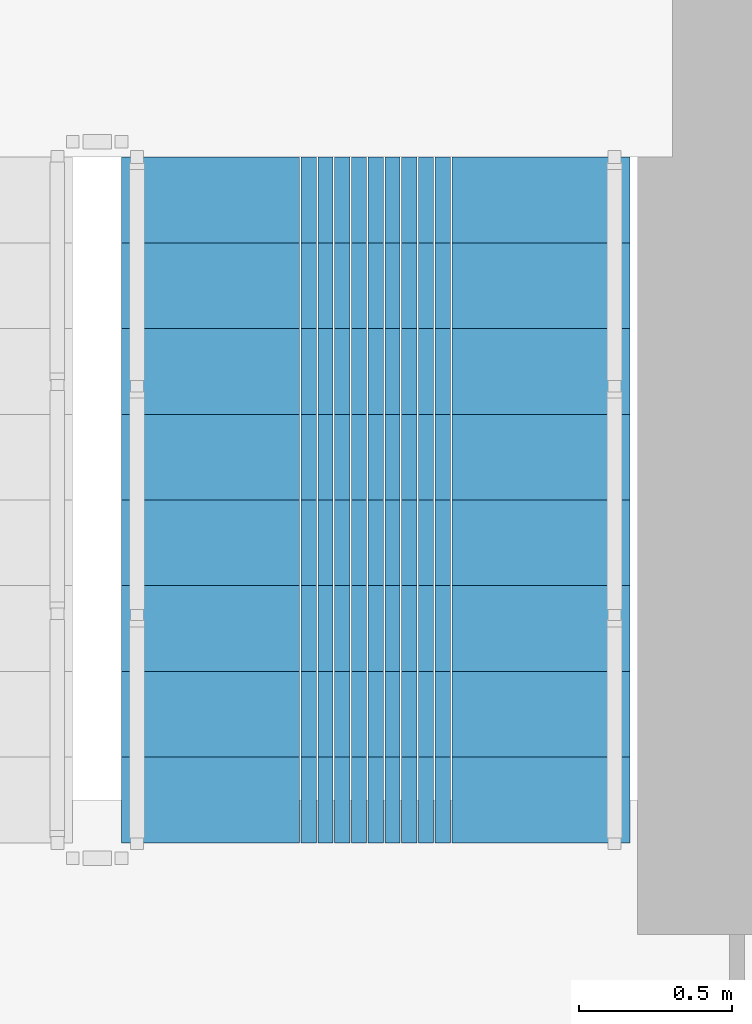
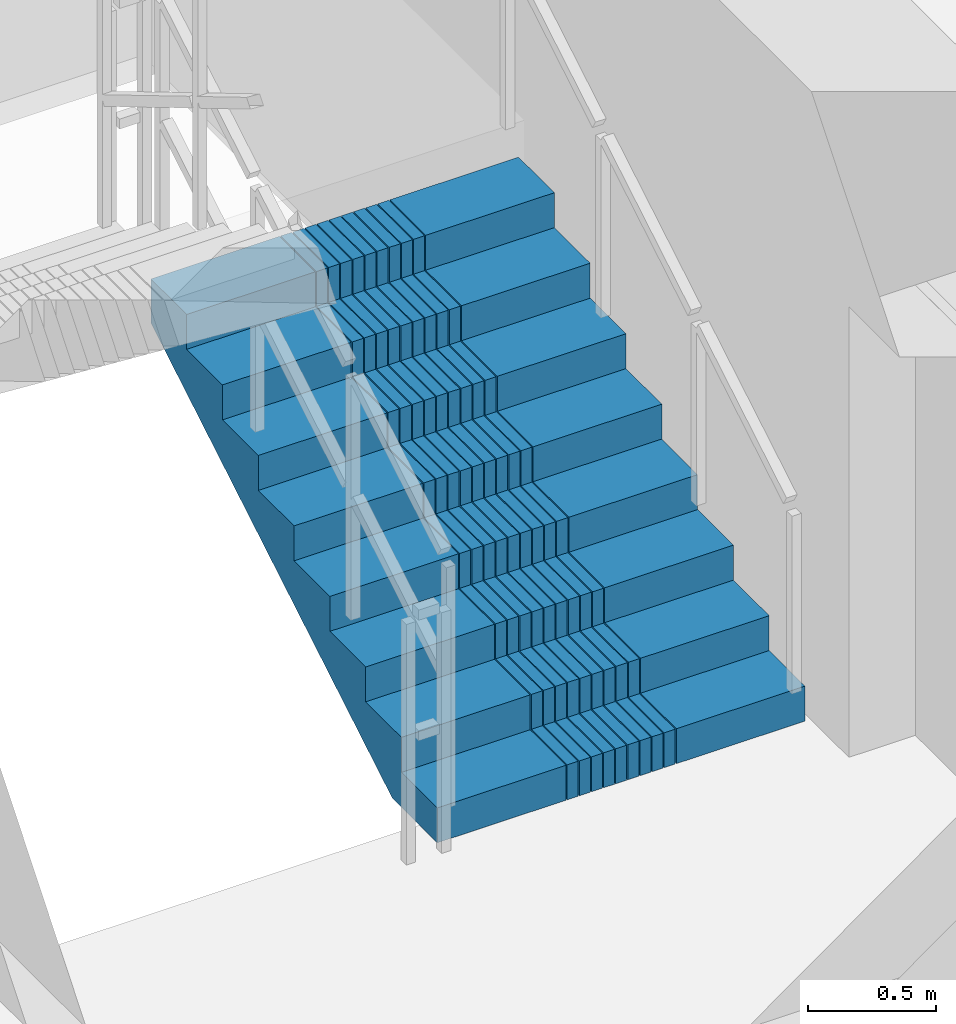
# One storey, part 10 of 16: 1 stair flight, 1 element without a shape of its own.
"""IFC4 building model written with IfcOpenShell, lengths in metres."""

from ifc_helpers import new_model, si_unit, direction, frame, origin, place, context, subcontext, project, spatial, polyline, outline, extrude, material, type_object, element, aggregate, save


model = new_model("IFC4")

# Units and contexts
model_context = context("Model", 3, precision=1e-05, world=origin(), true_north=direction((0.0, 1.0)))
body_context = subcontext(model_context, "Body", "Model", "MODEL_VIEW")
ifc_project = project(units=[si_unit("LENGTHUNIT", "METRE"), si_unit("AREAUNIT", "SQUARE_METRE"), si_unit("VOLUMEUNIT", "CUBIC_METRE"), si_unit("PLANEANGLEUNIT", "RADIAN"), si_unit("MASSUNIT", "GRAM", prefix="KILO")], contexts=[model_context])

# Site, building, storey
site_placement = place(None, origin())
site = spatial("IfcSite", under=ifc_project, at=site_placement, CompositionType="ELEMENT")
building_placement = place(site_placement, origin())
building = spatial("IfcBuilding", under=site, at=building_placement, Name="Saelheon Loggia Tower", CompositionType="ELEMENT")
storey_placement = place(building_placement, frame((0.0, 0.0, 37.39990234375)))
storey = spatial("IfcBuildingStorey", under=building, at=storey_placement, Name="L11", CompositionType="ELEMENT", Elevation=37.39990234375)

# Stair, stair flight
ifc_material = material(Name="Concrete C40/50", Category="concrete")
stair_type = type_object("IfcStairType", Name="Stair_Escape_Core", PredefinedType="HALF_TURN_STAIR", material=ifc_material)
stair_placement = place(storey_placement, origin())
stair = element("IfcStair", 1, at=stair_placement, inside=storey, type_object=stair_type, Name="L11 Special Escape Stair ST2", PredefinedType="HALF_TURN_STAIR")
stair_flight_type = type_object("IfcStairFlightType", Name="StairFlight_Tower_1660", PredefinedType="STRAIGHT", material=ifc_material)
stair_flight_placement = place(storey_placement, frame((43.320068359375, 30.449951171875, 0.0), z_axis=(0.0, 0.0, 1.0), x_axis=(0.0, 1.0, 0.0)))
stair_flight = element("IfcStairFlight", 2, at=stair_flight_placement, type_object=stair_flight_type, Name="ST2 flight 1", NumberOfRisers=9, NumberOfTreads=8, PredefinedType="STRAIGHT", RiserHeight=0.166666667, TreadLength=0.28, context=body_context, shape_type="SweptSolid", body=[
    extrude(outline(polyline([(0.0, 0.0), (0.0, 0.166748046875), (0.280029296875, 0.166748046875), (0.280029296875, 0.333251953125), (0.56005859375, 0.333251953125), (0.56005859375, 0.5), (0.840087890625, 0.5), (0.840087890625, 0.666748046875), (1.1201171875, 0.666748046875), (1.1201171875, 0.833251953125), (1.39990234375, 0.833251953125), (1.39990234375, 1.0), (1.679931640625, 1.0), (1.679931640625, 1.166748046875), (1.9599609375, 1.166748046875), (1.9599609375, 1.333251953125), (2.239990234375, 1.333251953125), (2.239990234375, 1.5), (2.239990234375, 1.1240234375), (0.351806640625, 0.0), (0.0, 0.0)])), frame((0.0, -0.2490234375, 0.0), z_axis=(0.0, -1.0, 0.0), x_axis=(1.0, 0.0, 0.0)), (0.0, 0.0, 1.0), 0.5810546875),
    extrude(outline(polyline([(0.0, 0.0), (0.0, 0.166748046875), (0.280029296875, 0.166748046875), (0.280029296875, 0.333251953125), (0.56005859375, 0.333251953125), (0.56005859375, 0.5), (0.840087890625, 0.5), (0.840087890625, 0.666748046875), (1.1201171875, 0.666748046875), (1.1201171875, 0.833251953125), (1.39990234375, 0.833251953125), (1.39990234375, 1.0), (1.679931640625, 1.0), (1.679931640625, 1.166748046875), (1.9599609375, 1.166748046875), (1.9599609375, 1.333251953125), (2.239990234375, 1.333251953125), (2.239990234375, 1.5), (2.239990234375, 1.1240234375), (0.351806640625, 0.0), (0.0, 0.0)])), frame((0.0, -0.194091796875, 0.0), z_axis=(0.0, -1.0, 0.0), x_axis=(1.0, 0.0, 0.0)), (0.0, 0.0, 1.0), 0.0498046875),
    extrude(outline(polyline([(0.0, 0.0), (0.0, 0.166748046875), (0.280029296875, 0.166748046875), (0.280029296875, 0.333251953125), (0.56005859375, 0.333251953125), (0.56005859375, 0.5), (0.840087890625, 0.5), (0.840087890625, 0.666748046875), (1.1201171875, 0.666748046875), (1.1201171875, 0.833251953125), (1.39990234375, 0.833251953125), (1.39990234375, 1.0), (1.679931640625, 1.0), (1.679931640625, 1.166748046875), (1.9599609375, 1.166748046875), (1.9599609375, 1.333251953125), (2.239990234375, 1.333251953125), (2.239990234375, 1.5), (2.239990234375, 1.1240234375), (0.351806640625, 0.0), (0.0, 0.0)])), frame((0.0, -0.139404296875, 0.0), z_axis=(0.0, -1.0, 0.0), x_axis=(1.0, 0.0, 0.0)), (0.0, 0.0, 1.0), 0.0498046875),
    extrude(outline(polyline([(0.0, 0.0), (0.0, 0.166748046875), (0.280029296875, 0.166748046875), (0.280029296875, 0.333251953125), (0.56005859375, 0.333251953125), (0.56005859375, 0.5), (0.840087890625, 0.5), (0.840087890625, 0.666748046875), (1.1201171875, 0.666748046875), (1.1201171875, 0.833251953125), (1.39990234375, 0.833251953125), (1.39990234375, 1.0), (1.679931640625, 1.0), (1.679931640625, 1.166748046875), (1.9599609375, 1.166748046875), (1.9599609375, 1.333251953125), (2.239990234375, 1.333251953125), (2.239990234375, 1.5), (2.239990234375, 1.1240234375), (0.351806640625, 0.0), (0.0, 0.0)])), frame((0.0, -0.084716796875, 0.0), z_axis=(0.0, -1.0, 0.0), x_axis=(1.0, 0.0, 0.0)), (0.0, 0.0, 1.0), 0.0498046875),
    extrude(outline(polyline([(0.0, 0.0), (0.0, 0.166748046875), (0.280029296875, 0.166748046875), (0.280029296875, 0.333251953125), (0.56005859375, 0.333251953125), (0.56005859375, 0.5), (0.840087890625, 0.5), (0.840087890625, 0.666748046875), (1.1201171875, 0.666748046875), (1.1201171875, 0.833251953125), (1.39990234375, 0.833251953125), (1.39990234375, 1.0), (1.679931640625, 1.0), (1.679931640625, 1.166748046875), (1.9599609375, 1.166748046875), (1.9599609375, 1.333251953125), (2.239990234375, 1.333251953125), (2.239990234375, 1.5), (2.239990234375, 1.1240234375), (0.351806640625, 0.0), (0.0, 0.0)])), frame((0.0, -0.02978515625, 0.0), z_axis=(0.0, -1.0, 0.0), x_axis=(1.0, 0.0, 0.0)), (0.0, 0.0, 1.0), 0.0498046875),
    extrude(outline(polyline([(0.0, 0.0), (0.0, 0.166748046875), (0.280029296875, 0.166748046875), (0.280029296875, 0.333251953125), (0.56005859375, 0.333251953125), (0.56005859375, 0.5), (0.840087890625, 0.5), (0.840087890625, 0.666748046875), (1.1201171875, 0.666748046875), (1.1201171875, 0.833251953125), (1.39990234375, 0.833251953125), (1.39990234375, 1.0), (1.679931640625, 1.0), (1.679931640625, 1.166748046875), (1.9599609375, 1.166748046875), (1.9599609375, 1.333251953125), (2.239990234375, 1.333251953125), (2.239990234375, 1.5), (2.239990234375, 1.1240234375), (0.351806640625, 0.0), (0.0, 0.0)])), frame((0.0, 0.02490234375, 0.0), z_axis=(0.0, -1.0, 0.0), x_axis=(1.0, 0.0, 0.0)), (0.0, 0.0, 1.0), 0.0498046875),
    extrude(outline(polyline([(0.0, 0.0), (0.0, 0.166748046875), (0.280029296875, 0.166748046875), (0.280029296875, 0.333251953125), (0.56005859375, 0.333251953125), (0.56005859375, 0.5), (0.840087890625, 0.5), (0.840087890625, 0.666748046875), (1.1201171875, 0.666748046875), (1.1201171875, 0.833251953125), (1.39990234375, 0.833251953125), (1.39990234375, 1.0), (1.679931640625, 1.0), (1.679931640625, 1.166748046875), (1.9599609375, 1.166748046875), (1.9599609375, 1.333251953125), (2.239990234375, 1.333251953125), (2.239990234375, 1.5), (2.239990234375, 1.1240234375), (0.351806640625, 0.0), (0.0, 0.0)])), frame((0.0, 0.07958984375, 0.0), z_axis=(0.0, -1.0, 0.0), x_axis=(1.0, 0.0, 0.0)), (0.0, 0.0, 1.0), 0.0498046875),
    extrude(outline(polyline([(0.0, 0.0), (0.0, 0.166748046875), (0.280029296875, 0.166748046875), (0.280029296875, 0.333251953125), (0.56005859375, 0.333251953125), (0.56005859375, 0.5), (0.840087890625, 0.5), (0.840087890625, 0.666748046875), (1.1201171875, 0.666748046875), (1.1201171875, 0.833251953125), (1.39990234375, 0.833251953125), (1.39990234375, 1.0), (1.679931640625, 1.0), (1.679931640625, 1.166748046875), (1.9599609375, 1.166748046875), (1.9599609375, 1.333251953125), (2.239990234375, 1.333251953125), (2.239990234375, 1.5), (2.239990234375, 1.1240234375), (0.351806640625, 0.0), (0.0, 0.0)])), frame((0.0, 0.134521484375, 0.0), z_axis=(0.0, -1.0, 0.0), x_axis=(1.0, 0.0, 0.0)), (0.0, 0.0, 1.0), 0.0498046875),
    extrude(outline(polyline([(0.0, 0.0), (0.0, 0.166748046875), (0.280029296875, 0.166748046875), (0.280029296875, 0.333251953125), (0.56005859375, 0.333251953125), (0.56005859375, 0.5), (0.840087890625, 0.5), (0.840087890625, 0.666748046875), (1.1201171875, 0.666748046875), (1.1201171875, 0.833251953125), (1.39990234375, 0.833251953125), (1.39990234375, 1.0), (1.679931640625, 1.0), (1.679931640625, 1.166748046875), (1.9599609375, 1.166748046875), (1.9599609375, 1.333251953125), (2.239990234375, 1.333251953125), (2.239990234375, 1.5), (2.239990234375, 1.1240234375), (0.351806640625, 0.0), (0.0, 0.0)])), frame((0.0, 0.189208984375, 0.0), z_axis=(0.0, -1.0, 0.0), x_axis=(1.0, 0.0, 0.0)), (0.0, 0.0, 1.0), 0.0498046875),
    extrude(outline(polyline([(0.0, 0.0), (0.0, 0.166748046875), (0.280029296875, 0.166748046875), (0.280029296875, 0.333251953125), (0.56005859375, 0.333251953125), (0.56005859375, 0.5), (0.840087890625, 0.5), (0.840087890625, 0.666748046875), (1.1201171875, 0.666748046875), (1.1201171875, 0.833251953125), (1.39990234375, 0.833251953125), (1.39990234375, 1.0), (1.679931640625, 1.0), (1.679931640625, 1.166748046875), (1.9599609375, 1.166748046875), (1.9599609375, 1.333251953125), (2.239990234375, 1.333251953125), (2.239990234375, 1.5), (2.239990234375, 1.1240234375), (0.351806640625, 0.0), (0.0, 0.0)])), frame((0.0, 0.243896484375, 0.0), z_axis=(0.0, -1.0, 0.0), x_axis=(1.0, 0.0, 0.0)), (0.0, 0.0, 1.0), 0.0498046875),
    extrude(outline(polyline([(0.0, 0.0), (0.0, 0.166748046875), (0.280029296875, 0.166748046875), (0.280029296875, 0.333251953125), (0.56005859375, 0.333251953125), (0.56005859375, 0.5), (0.840087890625, 0.5), (0.840087890625, 0.666748046875), (1.1201171875, 0.666748046875), (1.1201171875, 0.833251953125), (1.39990234375, 0.833251953125), (1.39990234375, 1.0), (1.679931640625, 1.0), (1.679931640625, 1.166748046875), (1.9599609375, 1.166748046875), (1.9599609375, 1.333251953125), (2.239990234375, 1.333251953125), (2.239990234375, 1.5), (2.239990234375, 1.1240234375), (0.351806640625, 0.0), (0.0, 0.0)])), frame((0.0, 0.830078125, 0.0), z_axis=(0.0, -1.0, 0.0), x_axis=(1.0, 0.0, 0.0)), (0.0, 0.0, 1.0), 0.5810546875),
])
aggregate(stair, [stair_flight])

save(model, "model.ifc")
